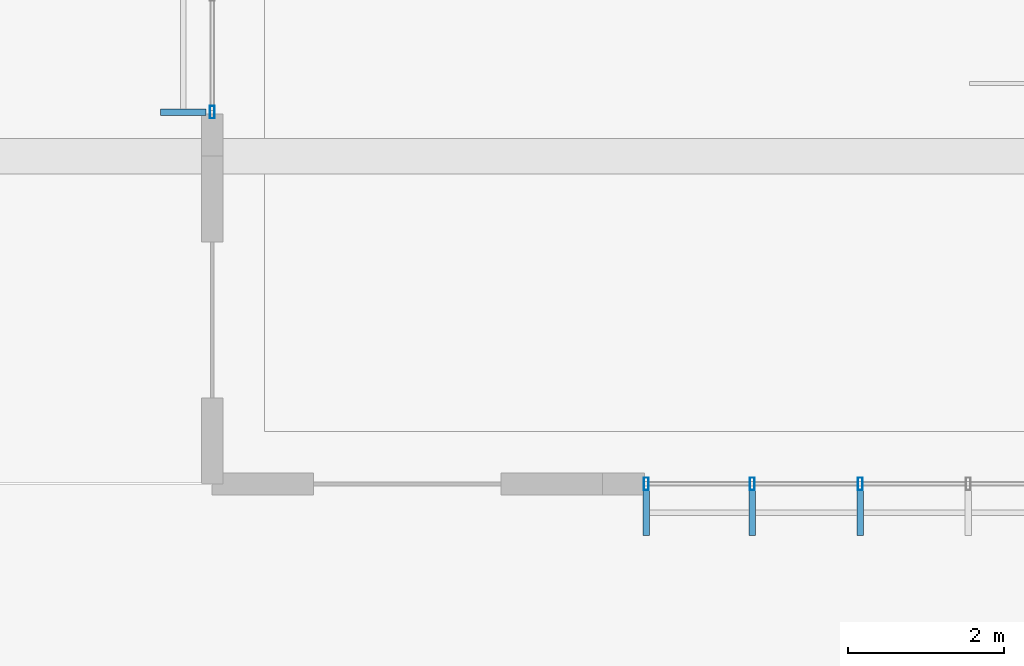
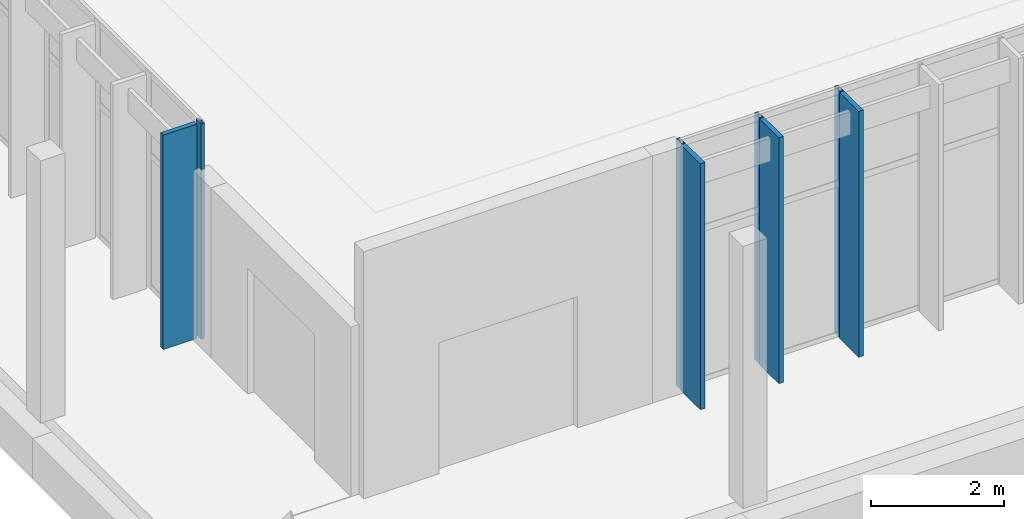
# One storey, part 14 of 151: 8 members, 2 elements without a shape of their own.
"""IFC4 building model written with IfcOpenShell, lengths in metres."""

from ifc_helpers import new_model, si_unit, direction, frame, origin, origin_2d, place, context, subcontext, project, spatial, rectangle, hollow_rectangle, extrude, material, material_profile, profile_set, type_object, element, aggregate, save


model = new_model("IFC4")

# Units and contexts
model_context = context("Model", 3, precision=1e-05, world=origin(), true_north=direction((0.0, 1.0)))
body_context = subcontext(model_context, "Body", "Model", "MODEL_VIEW")
ifc_project = project(units=[si_unit("LENGTHUNIT", "METRE"), si_unit("AREAUNIT", "SQUARE_METRE"), si_unit("VOLUMEUNIT", "CUBIC_METRE"), si_unit("PLANEANGLEUNIT", "RADIAN"), si_unit("MASSUNIT", "GRAM", prefix="KILO")], contexts=[model_context])

# Site, building, storey
site_placement = place(None, origin())
site = spatial("IfcSite", under=ifc_project, at=site_placement, CompositionType="ELEMENT")
building_placement = place(site_placement, origin())
building = spatial("IfcBuilding", under=site, at=building_placement, Name="Chiffa Square Polytechnic", CompositionType="ELEMENT")
storey_placement = place(building_placement, origin())
storey = spatial("IfcBuildingStorey", under=building, at=storey_placement, Name="L00", CompositionType="ELEMENT", Elevation=0.0)

# Curtain wall, members
ifc_material_1 = material(Name="Aluminium EN AW-6060 T66 and glulam shading", Category="wood")
curtain_wall_type_1 = type_object("IfcCurtainWallType", Name="CW-VERT-480X380", PredefinedType="USERDEFINED", material=ifc_material_1)
curtain_wall_1_placement = place(storey_placement, origin())
curtain_wall_1 = element("IfcCurtainWall", 1, at=curtain_wall_1_placement, inside=storey, type_object=curtain_wall_type_1, Name="Curtain wall CW-V3-L00-150", ObjectType="CURTAIN WALL", PredefinedType="USERDEFINED")
ifc_material_2 = material(Name="Aluminium EN AW-6060 T66", Category="aluminium")
ifc_material_profile_1 = material_profile(ifc_material_2, hollow_rectangle(XDim=0.06005859375, YDim=0.159912109375, WallThickness=0.00390625, at=origin_2d()), Name="ALU 60x160x4")
ifc_profile_set_1 = profile_set([ifc_material_profile_1], Name="Aluminium EN AW-6060 T66")
member_type_1 = type_object("IfcMemberType", Name="CWM-ALU-65X150", PredefinedType="MULLION", material=ifc_profile_set_1)
member_1_placement = place(storey_placement, frame((8.56494140625, 3.0, 0.0), z_axis=(0.0, 0.0, 1.0), x_axis=(1.0, 0.0, 0.0)))
member_1 = element("IfcMember", 2, at=member_1_placement, type_object=member_type_1, Name="Curtain wall mullion CW-V3-L00-150-M00", PredefinedType="MULLION", context=body_context, shape_type="SweptSolid", body=[
    extrude(hollow_rectangle(XDim=0.06005859375, YDim=0.159912109375, WallThickness=0.00390625, at=origin_2d()), origin(), (0.0, 0.0, 1.0), 4.52001953125),
])
member_2_placement = place(storey_placement, frame((9.924072265625, 3.0, 0.0), z_axis=(0.0, 0.0, 1.0), x_axis=(1.0, 0.0, 0.0)))
member_2 = element("IfcMember", 3, at=member_2_placement, type_object=member_type_1, Name="Curtain wall mullion CW-V3-L00-150-M01", PredefinedType="MULLION", context=body_context, shape_type="SweptSolid", body=[
    extrude(hollow_rectangle(XDim=0.06005859375, YDim=0.159912109375, WallThickness=0.00390625, at=origin_2d()), origin(), (0.0, 0.0, 1.0), 4.52001953125),
])
member_3_placement = place(storey_placement, frame((11.30810546875, 3.0, 0.0), z_axis=(0.0, 0.0, 1.0), x_axis=(1.0, 0.0, 0.0)))
member_3 = element("IfcMember", 4, at=member_3_placement, type_object=member_type_1, Name="Curtain wall mullion CW-V3-L00-150-M02", PredefinedType="MULLION", context=body_context, shape_type="SweptSolid", body=[
    extrude(hollow_rectangle(XDim=0.06005859375, YDim=0.159912109375, WallThickness=0.00390625, at=origin_2d()), origin(), (0.0, 0.0, 1.0), 4.52001953125),
])

# Curtain wall, member
curtain_wall_type_2 = type_object("IfcCurtainWallType", Name="CW-VERT-450X440", PredefinedType="USERDEFINED", material=ifc_material_1)
curtain_wall_2_placement = place(storey_placement, origin())
curtain_wall_2 = element("IfcCurtainWall", 5, at=curtain_wall_2_placement, inside=storey, type_object=curtain_wall_type_2, Name="Curtain wall CW-V3-L00-152", ObjectType="CURTAIN WALL", PredefinedType="USERDEFINED")
member_4_placement = place(storey_placement, frame((3.0, 7.764892578125, 0.0), z_axis=(0.0, 0.0, 1.0), x_axis=(1.0, 0.0, 0.0)))
member_4 = element("IfcMember", 6, at=member_4_placement, type_object=member_type_1, Name="Curtain wall mullion CW-V3-L00-152-M04", PredefinedType="MULLION", context=body_context, shape_type="SweptSolid", body=[
    extrude(hollow_rectangle(XDim=0.06005859375, YDim=0.159912109375, WallThickness=0.00390625, at=origin_2d()), origin(), (0.0, 0.0, 1.0), 3.945068359375),
])

# Member
ifc_material_3 = material(Name="Glulam GL28h", Category="wood")
ifc_material_profile_2 = material_profile(ifc_material_3, rectangle(XDim=0.080078125, YDim=0.580078125, at=origin_2d()), Name="GL28h 80x580")
ifc_profile_set_2 = profile_set([ifc_material_profile_2], Name="Glulam GL28h")
member_type_2 = type_object("IfcMemberType", Name="CWM-GL-80X580", PredefinedType="MULLION", material=ifc_profile_set_2)
member_5_placement = place(storey_placement, frame((8.56494140625, 2.6279296875, 0.010009765625), z_axis=(0.0, 0.0, 1.0), x_axis=(1.0, 0.0, 0.0)))
member_5 = element("IfcMember", 7, at=member_5_placement, type_object=member_type_2, Name="Exterior glulam solar fin CW-V3-L00-150-FN00", PredefinedType="MULLION", context=body_context, shape_type="SweptSolid", body=[
    extrude(rectangle(XDim=0.080078125, YDim=0.580078125, at=origin_2d()), origin(), (0.0, 0.0, 1.0), 4.5),
])

member_6_placement = place(storey_placement, frame((9.924072265625, 2.6279296875, 0.010009765625), z_axis=(0.0, 0.0, 1.0), x_axis=(1.0, 0.0, 0.0)))
member_6 = element("IfcMember", 8, at=member_6_placement, type_object=member_type_2, Name="Exterior glulam solar fin CW-V3-L00-150-FN01", PredefinedType="MULLION", context=body_context, shape_type="SweptSolid", body=[
    extrude(rectangle(XDim=0.080078125, YDim=0.580078125, at=origin_2d()), origin(), (0.0, 0.0, 1.0), 4.5),
])

member_7_placement = place(storey_placement, frame((11.30810546875, 2.6279296875, 0.010009765625), z_axis=(0.0, 0.0, 1.0), x_axis=(1.0, 0.0, 0.0)))
member_7 = element("IfcMember", 9, at=member_7_placement, type_object=member_type_2, Name="Exterior glulam solar fin CW-V3-L00-150-FN02", PredefinedType="MULLION", context=body_context, shape_type="SweptSolid", body=[
    extrude(rectangle(XDim=0.080078125, YDim=0.580078125, at=origin_2d()), origin(), (0.0, 0.0, 1.0), 4.5),
])

aggregate(curtain_wall_1, [member_1, member_5, member_2, member_6, member_3, member_7])

member_8_placement = place(storey_placement, frame((2.6279296875, 7.764892578125, 0.010009765625), z_axis=(0.0, 0.0, 1.0), x_axis=(0.0, -1.0, 0.0)))
member_8 = element("IfcMember", 10, at=member_8_placement, type_object=member_type_2, Name="Exterior glulam solar fin CW-V3-L00-152-FN04", PredefinedType="MULLION", context=body_context, shape_type="SweptSolid", body=[
    extrude(rectangle(XDim=0.080078125, YDim=0.580078125, at=origin_2d()), origin(), (0.0, 0.0, 1.0), 3.925048828125),
])

aggregate(curtain_wall_2, [member_4, member_8])

save(model, "model.ifc")
